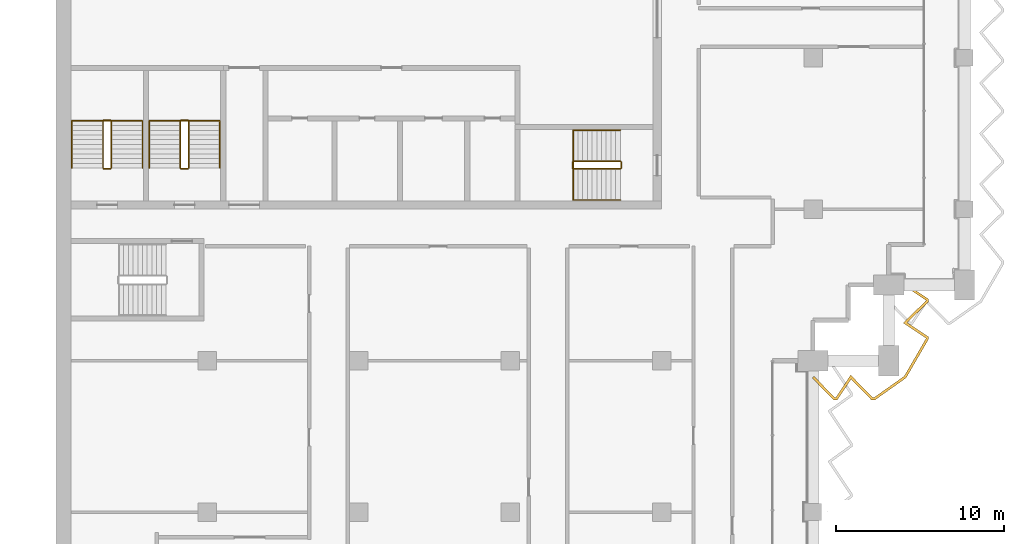
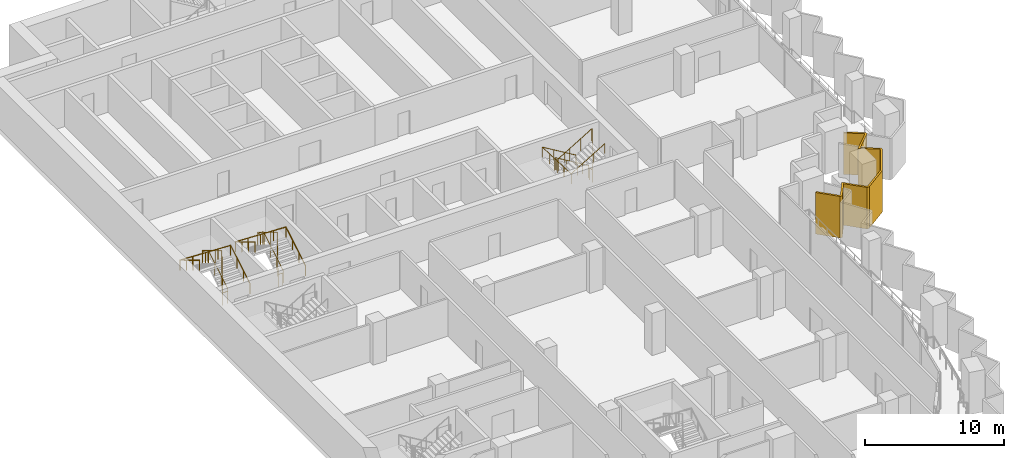
# One storey, part 18 of 19: 6 railings, 1 shading device.
"""IFC4 building model written with IfcOpenShell, lengths in metres."""

from ifc_helpers import new_model, si_unit, direction, frame, origin, origin_2d, place, context, subcontext, project, spatial, polyline, circle, outline, extrude, material, layer, layer_set, type_object, element, save


model = new_model("IFC4")

# Units and contexts
model_context = context("Model", 3, precision=1e-05, world=origin(), true_north=direction((0.0, 1.0)))
body_context = subcontext(model_context, "Body", "Model", "MODEL_VIEW")
ifc_project = project(units=[si_unit("LENGTHUNIT", "METRE"), si_unit("AREAUNIT", "SQUARE_METRE"), si_unit("VOLUMEUNIT", "CUBIC_METRE"), si_unit("PLANEANGLEUNIT", "RADIAN"), si_unit("MASSUNIT", "GRAM", prefix="KILO")], contexts=[model_context])

# Site, building, storey
site_placement = place(None, origin())
site = spatial("IfcSite", under=ifc_project, at=site_placement, CompositionType="ELEMENT")
building_placement = place(site_placement, origin())
building = spatial("IfcBuilding", under=site, at=building_placement, Name="Hunhe Ridgeline Campus", CompositionType="ELEMENT")
storey_placement = place(building_placement, frame((0.0, 0.0, 219.800048828125)))
storey = spatial("IfcBuildingStorey", under=building, at=storey_placement, Name="L56", CompositionType="ELEMENT", Elevation=219.800048828125)

# Shading device
ifc_material_1 = material(Name="Concrete C50", Category="concrete")
ifc_layer = layer(ifc_material_1, 0.14990234375)
ifc_layer_set = layer_set([ifc_layer], Name="Sawtooth concrete fin 150 Concrete C50")
shading_device_type = type_object("IfcShadingDeviceType", Name="Sawtooth concrete fin 150 Concrete C50", PredefinedType="USERDEFINED", material=ifc_layer_set)
shading_device_placement = place(storey_placement, frame((0.0, 0.0, -0.949951171875)))
element("IfcShadingDevice", 1, at=shading_device_placement, inside=storey, type_object=shading_device_type, Name="Concrete fin screen 2", ObjectType="FIN", PredefinedType="USERDEFINED", context=body_context, shape_type="SweptSolid", body=[
    extrude(outline(polyline([(45.0537109375, 53.077392578125), (44.9462890625, 52.97265625), (46.23583984375, 51.64990234375), (46.427734375, 51.64990234375), (47.26123046875, 52.90625), (48.48583984375, 51.64990234375), (48.661376953125, 51.64990234375), (50.53173828125, 52.97314453125), (51.85009765625, 55.247314453125), (51.85009765625, 55.427734375), (50.59375, 56.26123046875), (51.85009765625, 57.48583984375), (51.85009765625, 57.677734375), (50.516357421875, 58.5625), (50.43359375, 58.4375), (51.699951171875, 57.59716796875), (51.699951171875, 57.549072265625), (50.356201171875, 56.23876953125), (51.699951171875, 55.34716796875), (51.699951171875, 55.28759765625), (50.418212890625, 53.07666015625), (48.61376953125, 51.800048828125), (48.549072265625, 51.800048828125), (47.23876953125, 53.143798828125), (46.34716796875, 51.800048828125), (46.299072265625, 51.800048828125), (45.0537109375, 53.077392578125)])), origin(), (0.0, 0.0, 1.0), 3.64990234375),
])

# Railings
ifc_material_2 = material(Name="Stainless steel balustrade", Category="steel")
railing_type_1 = type_object("IfcRailingType", Name="Stair guard 1100 stainless", PredefinedType="GUARDRAIL", material=ifc_material_2)
railing_1_placement = place(storey_placement, frame((33.550048828125, 65.85009765625, 0.168212890625)))
element("IfcRailing", 2, at=railing_1_placement, inside=storey, type_object=railing_type_1, Name="L56 stair S2 guard", PredefinedType="GUARDRAIL", context=body_context, shape_type="SweptSolid", body=[
    extrude(circle(Radius=0.02392578125, at=origin_2d()), frame((0.0, 0.0, 1.076171875), z_axis=(-0.857275202839, 0.0, 0.514858452973), x_axis=(0.0, -1.0, 0.0)), (0.0, 0.0, 1.0), 3.26611328125),
    extrude(circle(Radius=0.02392578125, at=origin_2d()), frame((-2.800048828125, 0.0, 2.7578125), z_axis=(-0.707106781187, -0.707106781187, 0.0), x_axis=(0.707106781187, -0.707106781187, 0.0)), (0.0, 0.0, 1.0), 0.07080078125),
    extrude(circle(Radius=0.02392578125, at=origin_2d()), frame((-2.85009765625, -0.050048828125, 2.7578125), z_axis=(0.0, -1.0, 0.0), x_axis=(1.0, 0.0, 0.0)), (0.0, 0.0, 1.0), 0.35009765625),
    extrude(circle(Radius=0.02392578125, at=origin_2d()), frame((-2.85009765625, -0.400146484375, 2.7578125), z_axis=(0.274243871929, -0.274243871929, 0.92172696468), x_axis=(0.707106781187, 0.707106781187, 0.0)), (0.0, 0.0, 1.0), 0.1826171875),
    extrude(circle(Radius=0.02392578125, at=origin_2d()), frame((-2.800048828125, -0.4501953125, 2.92578125), z_axis=(0.857242210791, 0.0, 0.514913383045), x_axis=(0.0, 1.0, 0.0)), (0.0, 0.0, 1.0), 3.266357421875),
    extrude(circle(Radius=0.02392578125, at=origin_2d()), frame((0.0, -0.4501953125, 4.60791015625), z_axis=(0.013524414389, 0.013524414389, -0.999817073484), x_axis=(-0.707106781187, 0.707106781187, 0.0)), (0.0, 0.0, 1.0), 3.70068359375),
    extrude(circle(Radius=0.02392578125, at=origin_2d()), frame((0.050048828125, -0.400146484375, 0.90771484375), z_axis=(0.0, 1.0, 0.0), x_axis=(-1.0, 0.0, 0.0)), (0.0, 0.0, 1.0), 0.35009765625),
    extrude(circle(Radius=0.02099609375, at=origin_2d()), origin(), (0.0, 0.0, 1.0), 1.052001953125),
    extrude(circle(Radius=0.02099609375, at=origin_2d()), frame((-0.933349609375, 0.0, 0.560546875)), (0.0, 0.0, 1.0), 1.052001953125),
    extrude(circle(Radius=0.02099609375, at=origin_2d()), frame((-1.86669921875, 0.0, 1.12109375)), (0.0, 0.0, 1.0), 1.052001953125),
    extrude(circle(Radius=0.02099609375, at=origin_2d()), frame((-2.800048828125, 0.0, 1.681640625)), (0.0, 0.0, 1.0), 1.052001953125),
    extrude(circle(Radius=0.02099609375, at=origin_2d()), frame((-2.85009765625, -0.050048828125, 1.681640625)), (0.0, 0.0, 1.0), 1.052001953125),
    extrude(circle(Radius=0.02099609375, at=origin_2d()), frame((-2.85009765625, -0.400146484375, 1.681640625)), (0.0, 0.0, 1.0), 1.052001953125),
    extrude(circle(Radius=0.02099609375, at=origin_2d()), frame((-2.800048828125, -0.4501953125, 1.849853515625)), (0.0, 0.0, 1.0), 1.052001953125),
    extrude(circle(Radius=0.02099609375, at=origin_2d()), frame((-1.86669921875, -0.4501953125, 2.410400390625)), (0.0, 0.0, 1.0), 1.052001953125),
    extrude(circle(Radius=0.02099609375, at=origin_2d()), frame((-0.933349609375, -0.4501953125, 2.97119140625)), (0.0, 0.0, 1.0), 1.052001953125),
    extrude(circle(Radius=0.02099609375, at=origin_2d()), frame((0.0, -0.4501953125, 3.53173828125)), (0.0, 0.0, 1.0), 1.052001953125),
    extrude(circle(Radius=0.02099609375, at=origin_2d()), frame((0.012451171875, -0.437744140625, 2.606689453125)), (0.0, 0.0, 1.0), 1.052001953125),
    extrude(circle(Radius=0.02099609375, at=origin_2d()), frame((0.02490234375, -0.42529296875, 1.681640625)), (0.0, 0.0, 1.0), 1.052001953125),
    extrude(circle(Radius=0.02099609375, at=origin_2d()), frame((0.03759765625, -0.41259765625, 0.7568359375)), (0.0, 0.0, 1.0), 1.052001953125),
    extrude(circle(Radius=0.02099609375, at=origin_2d()), frame((0.050048828125, -0.400146484375, -0.168212890625)), (0.0, 0.0, 1.0), 1.052001953125),
    extrude(circle(Radius=0.02099609375, at=origin_2d()), frame((0.050048828125, -0.050048828125, -0.168212890625)), (0.0, 0.0, 1.0), 1.052001953125),
])
railing_2_placement = place(storey_placement, frame((3.300048828125, 65.449951171875, 0.168212890625)))
element("IfcRailing", 3, at=railing_2_placement, inside=storey, type_object=railing_type_1, Name="L56 stair S3 guard", PredefinedType="GUARDRAIL", context=body_context, shape_type="SweptSolid", body=[
    extrude(circle(Radius=0.02392578125, at=origin_2d()), frame((0.0, 0.0, 1.076171875), z_axis=(0.0, 0.857275202839, 0.514858452973), x_axis=(-1.0, 0.0, 0.0)), (0.0, 0.0, 1.0), 3.26611328125),
    extrude(circle(Radius=0.02392578125, at=origin_2d()), frame((0.0, 2.800048828125, 2.7578125), z_axis=(-0.707106781187, 0.707106781187, 0.0), x_axis=(-0.707106781187, -0.707106781187, 0.0)), (0.0, 0.0, 1.0), 0.07080078125),
    extrude(circle(Radius=0.02392578125, at=origin_2d()), frame((-0.050048828125, 2.85009765625, 2.7578125), z_axis=(-1.0, 0.0, 0.0), x_axis=(0.0, -1.0, 0.0)), (0.0, 0.0, 1.0), 0.39990234375),
    extrude(circle(Radius=0.02392578125, at=origin_2d()), frame((-0.449951171875, 2.85009765625, 2.7578125), z_axis=(-0.274243871929, -0.274243871929, 0.92172696468), x_axis=(0.707106781187, -0.707106781187, 0.0)), (0.0, 0.0, 1.0), 0.1826171875),
    extrude(circle(Radius=0.02392578125, at=origin_2d()), frame((-0.5, 2.800048828125, 2.92578125), z_axis=(0.0, -0.857242210791, 0.514913383045), x_axis=(1.0, 0.0, 0.0)), (0.0, 0.0, 1.0), 3.266357421875),
    extrude(circle(Radius=0.02392578125, at=origin_2d()), frame((-0.5, 0.0, 4.60791015625), z_axis=(0.013524414389, -0.013524414389, -0.999817073484), x_axis=(0.707106781187, 0.707106781187, 0.0)), (0.0, 0.0, 1.0), 3.70068359375),
    extrude(circle(Radius=0.02392578125, at=origin_2d()), frame((-0.449951171875, -0.050048828125, 0.90771484375), z_axis=(1.0, 0.0, 0.0), x_axis=(0.0, 1.0, 0.0)), (0.0, 0.0, 1.0), 0.39990234375),
    extrude(circle(Radius=0.02099609375, at=origin_2d()), origin(), (0.0, 0.0, 1.0), 1.052001953125),
    extrude(circle(Radius=0.02099609375, at=origin_2d()), frame((0.0, 0.933349609375, 0.560546875)), (0.0, 0.0, 1.0), 1.052001953125),
    extrude(circle(Radius=0.02099609375, at=origin_2d()), frame((0.0, 1.86669921875, 1.12109375)), (0.0, 0.0, 1.0), 1.052001953125),
    extrude(circle(Radius=0.02099609375, at=origin_2d()), frame((0.0, 2.800048828125, 1.681640625)), (0.0, 0.0, 1.0), 1.052001953125),
    extrude(circle(Radius=0.02099609375, at=origin_2d()), frame((-0.050048828125, 2.85009765625, 1.681640625)), (0.0, 0.0, 1.0), 1.052001953125),
    extrude(circle(Radius=0.02099609375, at=origin_2d()), frame((-0.449951171875, 2.85009765625, 1.681640625)), (0.0, 0.0, 1.0), 1.052001953125),
    extrude(circle(Radius=0.02099609375, at=origin_2d()), frame((-0.5, 2.800048828125, 1.849853515625)), (0.0, 0.0, 1.0), 1.052001953125),
    extrude(circle(Radius=0.02099609375, at=origin_2d()), frame((-0.5, 1.86669921875, 2.410400390625)), (0.0, 0.0, 1.0), 1.052001953125),
    extrude(circle(Radius=0.02099609375, at=origin_2d()), frame((-0.5, 0.933349609375, 2.97119140625)), (0.0, 0.0, 1.0), 1.052001953125),
    extrude(circle(Radius=0.02099609375, at=origin_2d()), frame((-0.5, 0.0, 3.53173828125)), (0.0, 0.0, 1.0), 1.052001953125),
    extrude(circle(Radius=0.02099609375, at=origin_2d()), frame((-0.487548828125, -0.012451171875, 2.606689453125)), (0.0, 0.0, 1.0), 1.052001953125),
    extrude(circle(Radius=0.02099609375, at=origin_2d()), frame((-0.47509765625, -0.02490234375, 1.681640625)), (0.0, 0.0, 1.0), 1.052001953125),
    extrude(circle(Radius=0.02099609375, at=origin_2d()), frame((-0.46240234375, -0.03759765625, 0.7568359375)), (0.0, 0.0, 1.0), 1.052001953125),
    extrude(circle(Radius=0.02099609375, at=origin_2d()), frame((-0.449951171875, -0.050048828125, -0.168212890625)), (0.0, 0.0, 1.0), 1.052001953125),
    extrude(circle(Radius=0.02099609375, at=origin_2d()), frame((-0.050048828125, -0.050048828125, -0.168212890625)), (0.0, 0.0, 1.0), 1.052001953125),
])
railing_3_placement = place(storey_placement, frame((7.89990234375, 65.449951171875, 0.168212890625)))
element("IfcRailing", 4, at=railing_3_placement, inside=storey, type_object=railing_type_1, Name="L56 stair S4 guard", PredefinedType="GUARDRAIL", context=body_context, shape_type="SweptSolid", body=[
    extrude(circle(Radius=0.02392578125, at=origin_2d()), frame((0.0, 0.0, 1.076171875), z_axis=(0.0, 0.857275202839, 0.514858452973), x_axis=(-1.0, 0.0, 0.0)), (0.0, 0.0, 1.0), 3.26611328125),
    extrude(circle(Radius=0.02392578125, at=origin_2d()), frame((0.0, 2.800048828125, 2.7578125), z_axis=(-0.705375805398, 0.708833529934, 0.0), x_axis=(-0.708833529934, -0.705375805398, 0.0)), (0.0, 0.0, 1.0), 0.070556640625),
    extrude(circle(Radius=0.02392578125, at=origin_2d()), frame((-0.0498046875, 2.85009765625, 2.7578125), z_axis=(-1.0, 0.0, 0.0), x_axis=(0.0, -1.0, 0.0)), (0.0, 0.0, 1.0), 0.400146484375),
    extrude(circle(Radius=0.02392578125, at=origin_2d()), frame((-0.449951171875, 2.85009765625, 2.7578125), z_axis=(-0.274243871929, -0.274243871929, 0.92172696468), x_axis=(0.707106781187, -0.707106781187, 0.0)), (0.0, 0.0, 1.0), 0.1826171875),
    extrude(circle(Radius=0.02392578125, at=origin_2d()), frame((-0.5, 2.800048828125, 2.92578125), z_axis=(0.0, -0.857242210791, 0.514913383045), x_axis=(1.0, 0.0, 0.0)), (0.0, 0.0, 1.0), 3.266357421875),
    extrude(circle(Radius=0.02392578125, at=origin_2d()), frame((-0.5, 0.0, 4.60791015625), z_axis=(0.013524414389, -0.013524414389, -0.999817073484), x_axis=(0.707106781187, 0.707106781187, 0.0)), (0.0, 0.0, 1.0), 3.70068359375),
    extrude(circle(Radius=0.02392578125, at=origin_2d()), frame((-0.449951171875, -0.050048828125, 0.90771484375), z_axis=(1.0, 0.0, 0.0), x_axis=(0.0, 1.0, 0.0)), (0.0, 0.0, 1.0), 0.400146484375),
    extrude(circle(Radius=0.02099609375, at=origin_2d()), origin(), (0.0, 0.0, 1.0), 1.052001953125),
    extrude(circle(Radius=0.02099609375, at=origin_2d()), frame((0.0, 0.933349609375, 0.560546875)), (0.0, 0.0, 1.0), 1.052001953125),
    extrude(circle(Radius=0.02099609375, at=origin_2d()), frame((0.0, 1.86669921875, 1.12109375)), (0.0, 0.0, 1.0), 1.052001953125),
    extrude(circle(Radius=0.02099609375, at=origin_2d()), frame((0.0, 2.800048828125, 1.681640625)), (0.0, 0.0, 1.0), 1.052001953125),
    extrude(circle(Radius=0.02099609375, at=origin_2d()), frame((-0.0498046875, 2.85009765625, 1.681640625)), (0.0, 0.0, 1.0), 1.052001953125),
    extrude(circle(Radius=0.02099609375, at=origin_2d()), frame((-0.449951171875, 2.85009765625, 1.681640625)), (0.0, 0.0, 1.0), 1.052001953125),
    extrude(circle(Radius=0.02099609375, at=origin_2d()), frame((-0.5, 2.800048828125, 1.849853515625)), (0.0, 0.0, 1.0), 1.052001953125),
    extrude(circle(Radius=0.02099609375, at=origin_2d()), frame((-0.5, 1.86669921875, 2.410400390625)), (0.0, 0.0, 1.0), 1.052001953125),
    extrude(circle(Radius=0.02099609375, at=origin_2d()), frame((-0.5, 0.933349609375, 2.97119140625)), (0.0, 0.0, 1.0), 1.052001953125),
    extrude(circle(Radius=0.02099609375, at=origin_2d()), frame((-0.5, 0.0, 3.53173828125)), (0.0, 0.0, 1.0), 1.052001953125),
    extrude(circle(Radius=0.02099609375, at=origin_2d()), frame((-0.487548828125, -0.012451171875, 2.606689453125)), (0.0, 0.0, 1.0), 1.052001953125),
    extrude(circle(Radius=0.02099609375, at=origin_2d()), frame((-0.47509765625, -0.02490234375, 1.681640625)), (0.0, 0.0, 1.0), 1.052001953125),
    extrude(circle(Radius=0.02099609375, at=origin_2d()), frame((-0.46240234375, -0.03759765625, 0.7568359375)), (0.0, 0.0, 1.0), 1.052001953125),
    extrude(circle(Radius=0.02099609375, at=origin_2d()), frame((-0.449951171875, -0.050048828125, -0.168212890625)), (0.0, 0.0, 1.0), 1.052001953125),
    extrude(circle(Radius=0.02099609375, at=origin_2d()), frame((-0.0498046875, -0.050048828125, -0.168212890625)), (0.0, 0.0, 1.0), 1.052001953125),
])
ifc_material_3 = material(Name="Stainless steel handrail", Category="steel")
railing_type_2 = type_object("IfcRailingType", Name="Stair handrail 900 stainless", PredefinedType="HANDRAIL", material=ifc_material_3)
railing_4_placement = place(storey_placement, frame((33.550048828125, 67.699951171875, 0.168212890625)))
element("IfcRailing", 5, at=railing_4_placement, inside=storey, type_object=railing_type_2, Name="L56 stair S2 handrail", PredefinedType="HANDRAIL", context=body_context, shape_type="SweptSolid", body=[
    extrude(circle(Radius=0.02392578125, at=origin_2d()), frame((0.0, 0.0, 0.8759765625), z_axis=(-0.857275202839, 0.0, 0.514858452973), x_axis=(0.0, -1.0, 0.0)), (0.0, 0.0, 1.0), 3.26611328125),
    extrude(circle(Radius=0.02392578125, at=origin_2d()), frame((-2.800048828125, 0.0, 2.5576171875), z_axis=(0.0, -0.99917950104, 0.040500922239), x_axis=(1.0, 0.0, 0.0)), (0.0, 0.0, 1.0), 4.1533203125),
    extrude(circle(Radius=0.02392578125, at=origin_2d()), frame((-2.800048828125, -4.14990234375, 2.7255859375), z_axis=(0.857242210791, 0.0, 0.514913383045), x_axis=(0.0, 1.0, 0.0)), (0.0, 0.0, 1.0), 3.266357421875),
    extrude(circle(Radius=0.02099609375, at=origin_2d()), origin(), (0.0, 0.0, 1.0), 0.851806640625),
    extrude(circle(Radius=0.02099609375, at=origin_2d()), frame((-0.933349609375, 0.0, 0.560546875)), (0.0, 0.0, 1.0), 0.851806640625),
    extrude(circle(Radius=0.02099609375, at=origin_2d()), frame((-1.86669921875, 0.0, 1.12109375)), (0.0, 0.0, 1.0), 0.851806640625),
    extrude(circle(Radius=0.02099609375, at=origin_2d()), frame((-2.800048828125, 0.0, 1.681640625)), (0.0, 0.0, 1.0), 0.851806640625),
    extrude(circle(Radius=0.02099609375, at=origin_2d()), frame((-2.800048828125, -1.03759765625, 1.7236328125)), (0.0, 0.0, 1.0), 0.851806640625),
    extrude(circle(Radius=0.02099609375, at=origin_2d()), frame((-2.800048828125, -2.074951171875, 1.765625)), (0.0, 0.0, 1.0), 0.851806640625),
    extrude(circle(Radius=0.02099609375, at=origin_2d()), frame((-2.800048828125, -3.1123046875, 1.807861328125)), (0.0, 0.0, 1.0), 0.851806640625),
    extrude(circle(Radius=0.02099609375, at=origin_2d()), frame((-2.800048828125, -4.14990234375, 1.849853515625)), (0.0, 0.0, 1.0), 0.851806640625),
    extrude(circle(Radius=0.02099609375, at=origin_2d()), frame((-1.86669921875, -4.14990234375, 2.410400390625)), (0.0, 0.0, 1.0), 0.851806640625),
    extrude(circle(Radius=0.02099609375, at=origin_2d()), frame((-0.933349609375, -4.14990234375, 2.97119140625)), (0.0, 0.0, 1.0), 0.851806640625),
    extrude(circle(Radius=0.02099609375, at=origin_2d()), frame((0.0, -4.14990234375, 3.53173828125)), (0.0, 0.0, 1.0), 0.851806640625),
])
railing_5_placement = place(storey_placement, frame((5.14990234375, 65.449951171875, 0.168212890625)))
element("IfcRailing", 6, at=railing_5_placement, inside=storey, type_object=railing_type_2, Name="L56 stair S3 handrail", PredefinedType="HANDRAIL", context=body_context, shape_type="SweptSolid", body=[
    extrude(circle(Radius=0.02392578125, at=origin_2d()), frame((0.0, 0.0, 0.8759765625), z_axis=(0.0, 0.857275202839, 0.514858452973), x_axis=(-1.0, 0.0, 0.0)), (0.0, 0.0, 1.0), 3.26611328125),
    extrude(circle(Radius=0.02392578125, at=origin_2d()), frame((0.0, 2.800048828125, 2.5576171875), z_axis=(-0.999198916169, 0.0, 0.040019069537), x_axis=(0.0, -1.0, 0.0)), (0.0, 0.0, 1.0), 4.203369140625),
    extrude(circle(Radius=0.02392578125, at=origin_2d()), frame((-4.199951171875, 2.800048828125, 2.7255859375), z_axis=(0.0, -0.857242210791, 0.514913383045), x_axis=(1.0, 0.0, 0.0)), (0.0, 0.0, 1.0), 3.266357421875),
    extrude(circle(Radius=0.02099609375, at=origin_2d()), origin(), (0.0, 0.0, 1.0), 0.851806640625),
    extrude(circle(Radius=0.02099609375, at=origin_2d()), frame((0.0, 0.933349609375, 0.560546875)), (0.0, 0.0, 1.0), 0.851806640625),
    extrude(circle(Radius=0.02099609375, at=origin_2d()), frame((0.0, 1.86669921875, 1.12109375)), (0.0, 0.0, 1.0), 0.851806640625),
    extrude(circle(Radius=0.02099609375, at=origin_2d()), frame((0.0, 2.800048828125, 1.681640625)), (0.0, 0.0, 1.0), 0.851806640625),
    extrude(circle(Radius=0.02099609375, at=origin_2d()), frame((-1.050048828125, 2.800048828125, 1.7236328125)), (0.0, 0.0, 1.0), 0.851806640625),
    extrude(circle(Radius=0.02099609375, at=origin_2d()), frame((-2.10009765625, 2.800048828125, 1.765625)), (0.0, 0.0, 1.0), 0.851806640625),
    extrude(circle(Radius=0.02099609375, at=origin_2d()), frame((-3.14990234375, 2.800048828125, 1.807861328125)), (0.0, 0.0, 1.0), 0.851806640625),
    extrude(circle(Radius=0.02099609375, at=origin_2d()), frame((-4.199951171875, 2.800048828125, 1.849853515625)), (0.0, 0.0, 1.0), 0.851806640625),
    extrude(circle(Radius=0.02099609375, at=origin_2d()), frame((-4.199951171875, 1.86669921875, 2.410400390625)), (0.0, 0.0, 1.0), 0.851806640625),
    extrude(circle(Radius=0.02099609375, at=origin_2d()), frame((-4.199951171875, 0.933349609375, 2.97119140625)), (0.0, 0.0, 1.0), 0.851806640625),
    extrude(circle(Radius=0.02099609375, at=origin_2d()), frame((-4.199951171875, 0.0, 3.53173828125)), (0.0, 0.0, 1.0), 0.851806640625),
])
railing_6_placement = place(storey_placement, frame((9.75, 65.449951171875, 0.168212890625)))
element("IfcRailing", 7, at=railing_6_placement, inside=storey, type_object=railing_type_2, Name="L56 stair S4 handrail", PredefinedType="HANDRAIL", context=body_context, shape_type="SweptSolid", body=[
    extrude(circle(Radius=0.02392578125, at=origin_2d()), frame((0.0, 0.0, 0.8759765625), z_axis=(0.0, 0.857275202839, 0.514858452973), x_axis=(-1.0, 0.0, 0.0)), (0.0, 0.0, 1.0), 3.26611328125),
    extrude(circle(Radius=0.02392578125, at=origin_2d()), frame((0.0, 2.800048828125, 2.5576171875), z_axis=(-0.999198916169, 0.0, 0.040019069537), x_axis=(0.0, -1.0, 0.0)), (0.0, 0.0, 1.0), 4.203369140625),
    extrude(circle(Radius=0.02392578125, at=origin_2d()), frame((-4.199951171875, 2.800048828125, 2.7255859375), z_axis=(0.0, -0.857242210791, 0.514913383045), x_axis=(1.0, 0.0, 0.0)), (0.0, 0.0, 1.0), 3.266357421875),
    extrude(circle(Radius=0.02099609375, at=origin_2d()), origin(), (0.0, 0.0, 1.0), 0.851806640625),
    extrude(circle(Radius=0.02099609375, at=origin_2d()), frame((0.0, 0.933349609375, 0.560546875)), (0.0, 0.0, 1.0), 0.851806640625),
    extrude(circle(Radius=0.02099609375, at=origin_2d()), frame((0.0, 1.86669921875, 1.12109375)), (0.0, 0.0, 1.0), 0.851806640625),
    extrude(circle(Radius=0.02099609375, at=origin_2d()), frame((0.0, 2.800048828125, 1.681640625)), (0.0, 0.0, 1.0), 0.851806640625),
    extrude(circle(Radius=0.02099609375, at=origin_2d()), frame((-1.050048828125, 2.800048828125, 1.7236328125)), (0.0, 0.0, 1.0), 0.851806640625),
    extrude(circle(Radius=0.02099609375, at=origin_2d()), frame((-2.10009765625, 2.800048828125, 1.765625)), (0.0, 0.0, 1.0), 0.851806640625),
    extrude(circle(Radius=0.02099609375, at=origin_2d()), frame((-3.14990234375, 2.800048828125, 1.807861328125)), (0.0, 0.0, 1.0), 0.851806640625),
    extrude(circle(Radius=0.02099609375, at=origin_2d()), frame((-4.199951171875, 2.800048828125, 1.849853515625)), (0.0, 0.0, 1.0), 0.851806640625),
    extrude(circle(Radius=0.02099609375, at=origin_2d()), frame((-4.199951171875, 1.86669921875, 2.410400390625)), (0.0, 0.0, 1.0), 0.851806640625),
    extrude(circle(Radius=0.02099609375, at=origin_2d()), frame((-4.199951171875, 0.933349609375, 2.97119140625)), (0.0, 0.0, 1.0), 0.851806640625),
    extrude(circle(Radius=0.02099609375, at=origin_2d()), frame((-4.199951171875, 0.0, 3.53173828125)), (0.0, 0.0, 1.0), 0.851806640625),
])

save(model, "model.ifc")
